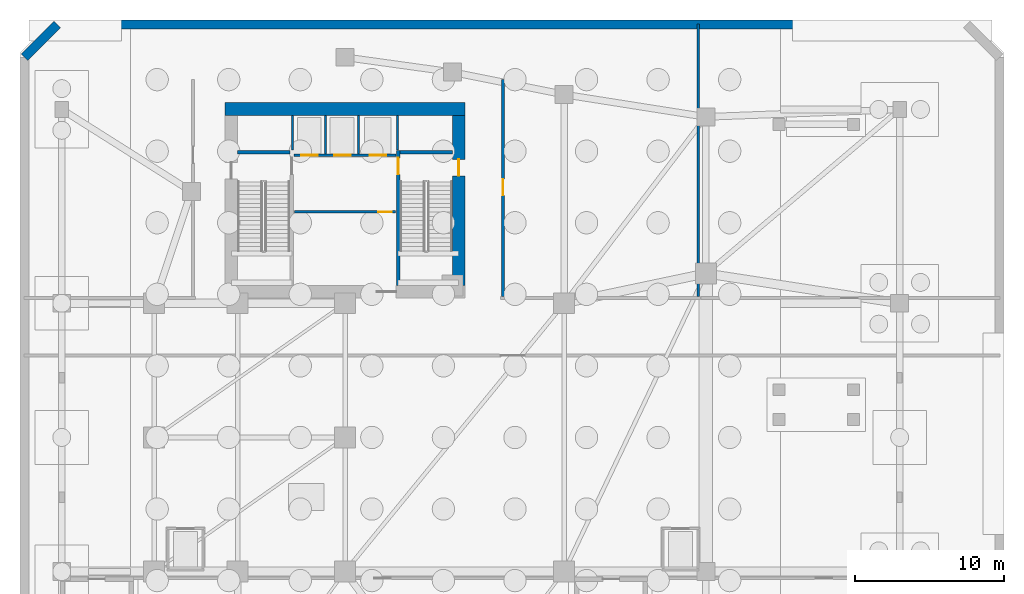
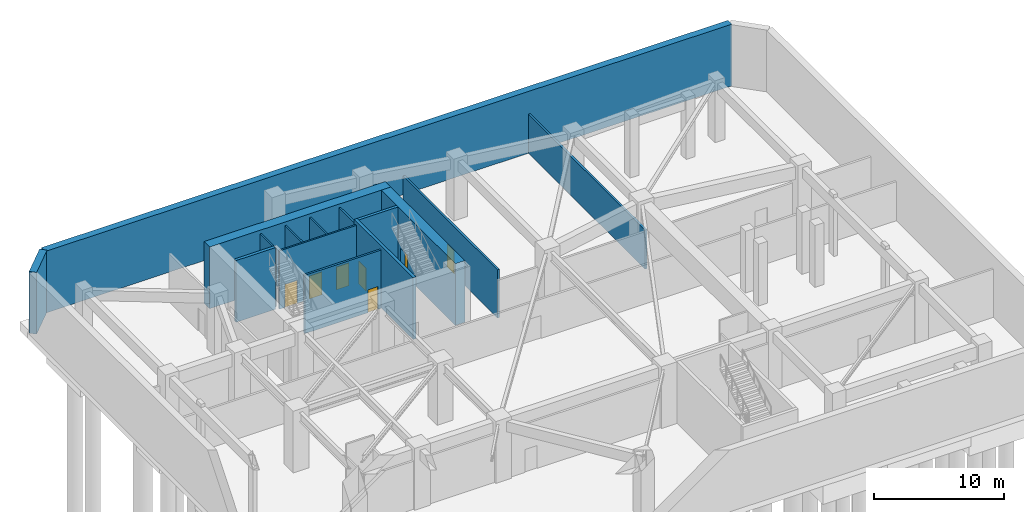
# One storey, part 5 of 9: 15 walls, 7 doors, 7 openings.
"""IFC4 building model written with IfcOpenShell, lengths in metres."""

from ifc_helpers import new_model, si_unit, direction, frame, frame_2d, origin, place, context, subcontext, project, spatial, rectangle, extrude, source, transform, mapped, material, layer, layer_set, type_object, element, fill, save


model = new_model("IFC4")

# Units and contexts
model_context = context("Model", 3, precision=1e-05, world=origin(), true_north=direction((0.0, 1.0)))
body_context = subcontext(model_context, "Body", "Model", "MODEL_VIEW")
ifc_project = project(units=[si_unit("LENGTHUNIT", "METRE"), si_unit("AREAUNIT", "SQUARE_METRE"), si_unit("VOLUMEUNIT", "CUBIC_METRE"), si_unit("PLANEANGLEUNIT", "RADIAN"), si_unit("MASSUNIT", "GRAM", prefix="KILO")], contexts=[model_context])

# Site, building, storey
site_placement = place(None, origin())
site = spatial("IfcSite", under=ifc_project, at=site_placement, CompositionType="ELEMENT")
building_placement = place(site_placement, origin())
building = spatial("IfcBuilding", under=site, at=building_placement, Name="Calvemar Wedge Station Tower", CompositionType="ELEMENT")
storey_placement = place(building_placement, frame((0.0, 0.0, -11.199951171875)))
storey = spatial("IfcBuildingStorey", under=building, at=storey_placement, Name="B02", CompositionType="ELEMENT", Elevation=-11.199951171875)

# Wall, opening, door
ifc_material_1 = material(Name="Concrete C50", Category="concrete")
ifc_layer_1 = layer(ifc_material_1, 0.260009765625)
ifc_layer_set_1 = layer_set([ifc_layer_1], Name="Concrete C50")
wall_type_1 = type_object("IfcWallType", Name="SW-CORE-260", PredefinedType="SHEAR", material=ifc_layer_set_1)
wall_1_placement = place(storey_placement, frame((27.3701171875, 34.199951171875, 0.0), z_axis=(0.0, 0.0, 1.0), x_axis=(0.0, 1.0, 0.0)))
wall_1 = element("IfcWall", 1, at=wall_1_placement, inside=storey, type_object=wall_type_1, Name="Storey B02 Core Shear Wall SPINE-E", PredefinedType="SHEAR", context=body_context, shape_type="SweptSolid", body=[
    extrude(rectangle(XDim=9.06005859375, YDim=0.260009765625, at=frame_2d((4.530029296875, 0.0))), origin(), (0.0, 0.0, 1.0), 5.800048828125),
])
shared_shape_1 = source(origin(), body_context, "Body", "SweptSolid", [
    extrude(rectangle(XDim=1.10009765625, YDim=2.14990234375, at=frame_2d((0.550048828125, 1.074951171875))), frame((0.0, 0.14013671875, 0.0), z_axis=(0.0, -1.0, 0.0), x_axis=(1.0, 0.0, 0.0)), (0.0, 0.0, 1.0), 0.280029296875),
])
opening_1_placement = place(wall_1_placement, frame((7.449951171875, 0.0, 0.0)))
opening_1 = element("IfcOpeningElement", 2, at=opening_1_placement, cuts=wall_1, Name="Opening FD-90", PredefinedType="OPENING", context=body_context, shape_type="MappedRepresentation", body=[
    mapped(shared_shape_1, transform((0.0, 0.0, 0.0), scale=1.0)),
])
ifc_material_2 = material(Name="Galvanized fire-rated steel door leaf P-90", Category="steel")
door_type_1 = type_object("IfcDoorType", Name="DR-FD90-1100", OperationType="NOTDEFINED", PredefinedType="DOOR", material=ifc_material_2)
shared_shape_2 = source(origin(), body_context, "Body", "SweptSolid", [
    extrude(rectangle(XDim=1.10009765625, YDim=2.14990234375, at=frame_2d((0.550048828125, 1.074951171875))), frame((0.0, 0.02490234375, 0.0), z_axis=(0.0, -1.0, 0.0), x_axis=(1.0, 0.0, 0.0)), (0.0, 0.0, 1.0), 0.050048828125),
])
door_1_placement = place(opening_1_placement, origin())
door_1 = element("IfcDoor", 3, at=door_1_placement, inside=storey, type_object=door_type_1, Name="B02 FF Lobby to Stair ST-C2 Door", OperationType="SINGLE_SWING_RIGHT", OverallHeight=2.14990234375, OverallWidth=1.10009765625, PredefinedType="DOOR", context=body_context, shape_type="MappedRepresentation", body=[
    mapped(shared_shape_2, transform((0.0, 0.0, 0.0), scale=1.0)),
])
fill(opening_1, door_1)

# Walls
for number, where, z_axis, x_axis, name in (
    (4, (16.60009765625, 43.1298828125, 0.0), (0.0, 0.0, 1.0), (1.0, 0.0, 0.0), "Storey B02 Core Shear Wall STC1-N"),
    (5, (27.5, 43.1298828125, 0.0), (0.0, 0.0, 1.0), (1.0, 0.0, 0.0), "Storey B02 Core Shear Wall STC2-N"),
):
    element("IfcWall", number, at=place(storey_placement, frame(where, z_axis=z_axis, x_axis=x_axis)), inside=storey, type_object=wall_type_1, Name=name, PredefinedType="SHEAR", context=body_context, shape_type="SweptSolid", body=[
        extrude(rectangle(XDim=3.5, YDim=0.260009765625, at=frame_2d((1.75, 0.0))), origin(), (0.0, 0.0, 1.0), 5.800048828125),
    ])
ifc_material_3 = material(Name="Concrete C80", Category="concrete")
ifc_layer_2 = layer(ifc_material_3, 0.85009765625)
ifc_layer_set_2 = layer_set([ifc_layer_2], Name="Concrete C80")
wall_type_2 = type_object("IfcWallType", Name="SW-CORE-850", PredefinedType="SHEAR", material=ifc_layer_set_2)
wall_2_placement = place(storey_placement, frame((15.75, 46.02490234375, 0.0), z_axis=(0.0, 0.0, 1.0), x_axis=(1.0, 0.0, 0.0)))
element("IfcWall", 6, at=wall_2_placement, inside=storey, type_object=wall_type_2, Name="Storey B02 Core Shear Wall N", PredefinedType="SHEAR", context=body_context, shape_type="SweptSolid", body=[
    extrude(rectangle(XDim=16.10009765625, YDim=0.85009765625, at=frame_2d((8.050048828125, 0.0))), origin(), (0.0, 0.0, 1.0), 5.800048828125),
])

# Wall, opening, door
wall_3_placement = place(storey_placement, frame((31.425048828125, 34.199951171875, 0.0), z_axis=(0.0, 0.0, 1.0), x_axis=(0.0, 1.0, 0.0)))
wall_3 = element("IfcWall", 7, at=wall_3_placement, inside=storey, type_object=wall_type_2, Name="Storey B02 Core Shear Wall E", PredefinedType="SHEAR", context=body_context, shape_type="SweptSolid", body=[
    extrude(rectangle(XDim=11.400146484375, YDim=0.85009765625, at=frame_2d((5.7001953125, 0.0))), origin(), (0.0, 0.0, 1.0), 5.800048828125),
])
shared_shape_3 = source(origin(), body_context, "Body", "SweptSolid", [
    extrude(rectangle(XDim=1.10009765625, YDim=2.14990234375, at=frame_2d((0.550048828125, 1.074951171875))), frame((0.0, 0.43505859375, 0.0), z_axis=(0.0, -1.0, 0.0), x_axis=(1.0, 0.0, 0.0)), (0.0, 0.0, 1.0), 0.8701171875),
])
opening_2_placement = place(wall_3_placement, frame((7.35009765625, 0.0, 0.0)))
opening_2 = element("IfcOpeningElement", 8, at=opening_2_placement, cuts=wall_3, Name="Opening FD-90", PredefinedType="OPENING", context=body_context, shape_type="MappedRepresentation", body=[
    mapped(shared_shape_3, transform((0.0, 0.0, 0.0), scale=1.0)),
])
door_2_placement = place(opening_2_placement, origin())
door_2 = element("IfcDoor", 9, at=door_2_placement, inside=storey, type_object=door_type_1, Name="B02 East Corridor to Exit Stair ST-C2 Door", OperationType="SINGLE_SWING_RIGHT", OverallHeight=2.14990234375, OverallWidth=1.10009765625, PredefinedType="DOOR", context=body_context, shape_type="MappedRepresentation", body=[
    mapped(shared_shape_2, transform((0.0, 0.0, 0.0), scale=1.0)),
])
fill(opening_2, door_2)

# Walls
ifc_layer_3 = layer(ifc_material_1, 0.60009765625)
ifc_layer_set_3 = layer_set([ifc_layer_3], Name="Concrete C50")
wall_type_3 = type_object("IfcWallType", Name="SW-CORE-RET-600", PredefinedType="SHEAR", material=ifc_layer_set_3)
wall_4_placement = place(storey_placement, frame((65.5, 51.699951171875, 0.0), z_axis=(0.0, 0.0, 1.0), x_axis=(-1.0, 0.0, 0.0)))
element("IfcWall", 10, at=wall_4_placement, inside=storey, type_object=wall_type_3, Name="Basement B02 Diaphragm Retaining Wall 5", PredefinedType="SHEAR", context=body_context, shape_type="SweptSolid", body=[
    extrude(rectangle(XDim=61.0, YDim=0.60009765625, at=frame_2d((30.5, 0.0))), origin(), (0.0, 0.0, 1.0), 5.800048828125),
])
wall_5_placement = place(storey_placement, frame((4.5, 51.699951171875, 0.0), z_axis=(0.0, 0.0, 1.0), x_axis=(-0.707106781187, -0.707106781187, 0.0)))
element("IfcWall", 11, at=wall_5_placement, inside=storey, type_object=wall_type_3, Name="Basement B02 Diaphragm Retaining Wall 6", PredefinedType="SHEAR", context=body_context, shape_type="SweptSolid", body=[
    extrude(rectangle(XDim=3.111083984375, YDim=0.60009765625, at=frame_2d((1.5556640625, 0.0))), origin(), (0.0, 0.0, 1.0), 5.800048828125),
])

# Wall, opening, door
ifc_material_4 = material(Name="Double-stud fire-rated corridor partition")
ifc_layer_4 = layer(ifc_material_4, 0.179931640625)
ifc_layer_set_4 = layer_set([ifc_layer_4], Name="Double-stud fire-rated corridor partition")
wall_type_4 = type_object("IfcWallType", Name="W-CORR-180", PredefinedType="PARTITIONING", material=ifc_layer_set_4)
wall_6_placement = place(storey_placement, frame((27.199951171875, 39.1298828125, 0.0), z_axis=(0.0, 0.0, 1.0), x_axis=(-1.0, 0.0, 0.0)))
wall_6 = element("IfcWall", 12, at=wall_6_placement, inside=storey, type_object=wall_type_4, Name="Storey B02 Interior Partition WL-B02-001", PredefinedType="PARTITIONING", context=body_context, shape_type="SweptSolid", body=[
    extrude(rectangle(XDim=6.780029296875, YDim=0.179931640625, at=frame_2d((3.39013671875, 0.0))), origin(), (0.0, 0.0, 1.0), 5.47998046875),
])
shared_shape_4 = source(origin(), body_context, "Body", "SweptSolid", [
    extrude(rectangle(XDim=0.89990234375, YDim=2.14990234375, at=frame_2d((0.449951171875, 1.074951171875))), frame((0.0, 0.10009765625, 0.0), z_axis=(0.0, -1.0, 0.0), x_axis=(1.0, 0.0, 0.0)), (0.0, 0.0, 1.0), 0.199951171875),
])
opening_3_placement = place(wall_6_placement, frame((0.280029296875, 0.0, 0.0)))
opening_3 = element("IfcOpeningElement", 13, at=opening_3_placement, cuts=wall_6, Name="Opening FD-60", PredefinedType="OPENING", context=body_context, shape_type="MappedRepresentation", body=[
    mapped(shared_shape_4, transform((0.0, 0.0, 0.0), scale=1.0)),
])
ifc_material_5 = material(Name="Fire-rated acoustic timber-core entrance door EI 60", Category="wood")
door_type_2 = type_object("IfcDoorType", Name="DR-FD60-900", OperationType="NOTDEFINED", PredefinedType="DOOR", material=ifc_material_5)
shared_shape_5 = source(origin(), body_context, "Body", "SweptSolid", [
    extrude(rectangle(XDim=0.89990234375, YDim=2.14990234375, at=frame_2d((0.449951171875, 1.074951171875))), frame((0.0, 0.02490234375, 0.0), z_axis=(0.0, -1.0, 0.0), x_axis=(1.0, 0.0, 0.0)), (0.0, 0.0, 1.0), 0.050048828125),
])
door_3_placement = place(opening_3_placement, origin())
door_3 = element("IfcDoor", 14, at=door_3_placement, inside=storey, type_object=door_type_2, Name="B02 Core Service Lobby Door", OperationType="SINGLE_SWING_LEFT", OverallHeight=2.14990234375, OverallWidth=0.89990234375, PredefinedType="DOOR", context=body_context, shape_type="MappedRepresentation", body=[
    mapped(shared_shape_5, transform((0.0, 0.0, 0.0), scale=1.0)),
])
fill(opening_3, door_3)

wall_7_placement = place(storey_placement, frame((34.39990234375, 48.0, 0.0), z_axis=(0.0, 0.0, 1.0), x_axis=(0.0, -1.0, 0.0)))
wall_7 = element("IfcWall", 15, at=wall_7_placement, inside=storey, type_object=wall_type_4, Name="Storey B02 Interior Partition WL-B02-007", PredefinedType="PARTITIONING", context=body_context, shape_type="SweptSolid", body=[
    extrude(rectangle(XDim=14.555908203125, YDim=0.179931640625, at=frame_2d((7.27783203125, 0.0))), origin(), (0.0, 0.0, 1.0), 4.52197265625),
])
shared_shape_6 = source(origin(), body_context, "Body", "SweptSolid", [
    extrude(rectangle(XDim=1.10009765625, YDim=2.14990234375, at=frame_2d((0.550048828125, 1.074951171875))), frame((0.0, 0.10009765625, 0.0), z_axis=(0.0, -1.0, 0.0), x_axis=(1.0, 0.0, 0.0)), (0.0, 0.0, 1.0), 0.199951171875),
])
opening_4_placement = place(wall_7_placement, frame((6.667724609375, 0.0, 0.0)))
opening_4 = element("IfcOpeningElement", 16, at=opening_4_placement, cuts=wall_7, Name="Opening FD-90", PredefinedType="OPENING", context=body_context, shape_type="MappedRepresentation", body=[
    mapped(shared_shape_6, transform((0.0, 0.0, 0.0), scale=1.0)),
])
door_4_placement = place(opening_4_placement, origin())
door_4 = element("IfcDoor", 17, at=door_4_placement, inside=storey, type_object=door_type_1, Name="B02 Traction Power Substation Door", OperationType="SINGLE_SWING_LEFT", OverallHeight=2.14990234375, OverallWidth=1.10009765625, PredefinedType="DOOR", context=body_context, shape_type="MappedRepresentation", body=[
    mapped(shared_shape_2, transform((0.0, 0.0, 0.0), scale=1.0)),
])
fill(opening_4, door_4)

# Wall
wall_8_placement = place(storey_placement, frame((47.5, 51.715087890625, 0.0), z_axis=(0.0, 0.0, 1.0), x_axis=(0.0, -1.0, 0.0)))
element("IfcWall", 18, at=wall_8_placement, inside=storey, type_object=wall_type_4, Name="Storey B02 Interior Partition WL-B02-010", PredefinedType="PARTITIONING", context=body_context, shape_type="SweptSolid", body=[
    extrude(rectangle(XDim=18.27099609375, YDim=0.179931640625, at=frame_2d((9.135498046875, 0.0))), origin(), (0.0, 0.0, 1.0), 3.671875),
])

# Wall, openings, doors
ifc_material_6 = material(Name="Reinforced concrete blockwork lift shaft wall", Category="masonry")
ifc_layer_5 = layer(ifc_material_6, 0.139892578125)
ifc_layer_set_5 = layer_set([ifc_layer_5], Name="Reinforced concrete blockwork lift shaft wall")
wall_type_5 = type_object("IfcWallType", Name="W-LIFT-160", PredefinedType="SOLIDWALL", material=ifc_layer_set_5)
wall_9_placement = place(storey_placement, frame((20.3701171875, 42.929931640625, 0.0), z_axis=(0.0, 0.0, 1.0), x_axis=(1.0, 0.0, 0.0)))
wall_9 = element("IfcWall", 19, at=wall_9_placement, inside=storey, type_object=wall_type_5, Name="Storey B02 Firefighting and Service Lift Shaft Front Wall", PredefinedType="SOLIDWALL", context=body_context, shape_type="SweptSolid", body=[
    extrude(rectangle(XDim=6.85986328125, YDim=0.139892578125, at=frame_2d((3.429931640625, 0.0))), origin(), (0.0, 0.0, 1.0), 5.47998046875),
])
shared_shape_7 = source(origin(), body_context, "Body", "SweptSolid", [
    extrude(rectangle(XDim=1.10009765625, YDim=2.14990234375, at=frame_2d((0.550048828125, 1.074951171875))), frame((0.0, 0.080078125, 0.0), z_axis=(0.0, -1.0, 0.0), x_axis=(1.0, 0.0, 0.0)), (0.0, 0.0, 1.0), 0.159912109375),
])
opening_5_placement = place(wall_9_placement, frame((0.5, 0.0, 0.0)))
opening_5 = element("IfcOpeningElement", 20, at=opening_5_placement, cuts=wall_9, Name="Opening LD-FF", PredefinedType="OPENING", context=body_context, shape_type="MappedRepresentation", body=[
    mapped(shared_shape_7, transform((0.0, 0.0, 0.0), scale=1.0)),
])
opening_6_placement = place(wall_9_placement, frame((2.699951171875, 0.0, 0.0)))
opening_6 = element("IfcOpeningElement", 21, at=opening_6_placement, cuts=wall_9, Name="Opening LD-FF", PredefinedType="OPENING", context=body_context, shape_type="MappedRepresentation", body=[
    mapped(shared_shape_7, transform((0.0, 0.0, 0.0), scale=1.0)),
])
opening_7_placement = place(wall_9_placement, frame((5.10009765625, 0.0, 0.0)))
opening_7 = element("IfcOpeningElement", 22, at=opening_7_placement, cuts=wall_9, Name="Opening LD-STN", PredefinedType="OPENING", context=body_context, shape_type="MappedRepresentation", body=[
    mapped(shared_shape_7, transform((0.0, 0.0, 0.0), scale=1.0)),
])
ifc_material_7 = material(Name="Stainless steel firefighting lift sliding landing door", Category="steel")
door_type_3 = type_object("IfcDoorType", Name="DR-LD-FF-1100", OperationType="SLIDING_TO_LEFT", PredefinedType="DOOR", material=ifc_material_7)
shared_shape_8 = source(origin(), body_context, "Body", "SweptSolid", [
    extrude(rectangle(XDim=1.10009765625, YDim=2.14990234375, at=frame_2d((0.550048828125, 1.074951171875))), frame((0.0, 0.02490234375, 0.0), z_axis=(0.0, -1.0, 0.0), x_axis=(1.0, 0.0, 0.0)), (0.0, 0.0, 1.0), 0.050048828125),
])
door_5_placement = place(opening_5_placement, origin())
door_5 = element("IfcDoor", 23, at=door_5_placement, inside=storey, type_object=door_type_3, Name="B02 Lift FF-01 Sliding Landing Door", OperationType="SLIDING_TO_LEFT", OverallHeight=2.14990234375, OverallWidth=1.10009765625, PredefinedType="DOOR", context=body_context, shape_type="MappedRepresentation", body=[
    mapped(shared_shape_8, transform((0.0, 0.0, 0.0), scale=1.0)),
])
fill(opening_5, door_5)
door_6_placement = place(opening_6_placement, origin())
door_6 = element("IfcDoor", 24, at=door_6_placement, inside=storey, type_object=door_type_3, Name="B02 Lift FF-02 Sliding Landing Door", OperationType="SLIDING_TO_RIGHT", OverallHeight=2.14990234375, OverallWidth=1.10009765625, PredefinedType="DOOR", context=body_context, shape_type="MappedRepresentation", body=[
    mapped(shared_shape_8, transform((0.0, 0.0, 0.0), scale=1.0)),
])
fill(opening_6, door_6)
ifc_material_8 = material(Name="Stainless steel transit lift sliding landing door", Category="steel")
door_type_4 = type_object("IfcDoorType", Name="DR-LD-PAX-1100", OperationType="SLIDING_TO_LEFT", PredefinedType="DOOR", material=ifc_material_8)
shared_shape_9 = source(origin(), body_context, "Body", "SweptSolid", [
    extrude(rectangle(XDim=1.10009765625, YDim=2.14990234375, at=frame_2d((0.550048828125, 1.074951171875))), frame((0.0, 0.02490234375, 0.0), z_axis=(0.0, -1.0, 0.0), x_axis=(1.0, 0.0, 0.0)), (0.0, 0.0, 1.0), 0.050048828125),
])
door_7_placement = place(opening_7_placement, origin())
door_7 = element("IfcDoor", 25, at=door_7_placement, inside=storey, type_object=door_type_4, Name="B02 Lift SV-01 Sliding Landing Door", OperationType="SLIDING_TO_LEFT", OverallHeight=2.14990234375, OverallWidth=1.10009765625, PredefinedType="DOOR", context=body_context, shape_type="MappedRepresentation", body=[
    mapped(shared_shape_9, transform((0.0, 0.0, 0.0), scale=1.0)),
])
fill(opening_7, door_7)

# Walls
for number, where, z_axis, x_axis, name in (
    (26, (20.2900390625, 43.280029296875, 0.0), (0.0, 0.0, 1.0), (0.0, 1.0, 0.0), "Storey B02 Firefighting Lift Shaft Enclosure Wall W"),
    (27, (27.31005859375, 43.280029296875, 0.0), (0.0, 0.0, 1.0), (0.0, 1.0, 0.0), "Storey B02 Firefighting Lift Shaft Enclosure Wall E"),
):
    element("IfcWall", number, at=place(storey_placement, frame(where, z_axis=z_axis, x_axis=x_axis)), inside=storey, type_object=wall_type_5, Name=name, PredefinedType="SOLIDWALL", context=body_context, shape_type="SweptSolid", body=[
        extrude(rectangle(XDim=2.300048828125, YDim=0.139892578125, at=frame_2d((1.14990234375, 0.0))), origin(), (0.0, 0.0, 1.0), 5.47998046875),
    ])
for number, where, z_axis, x_axis, name in (
    (28, (22.5, 43.02001953125, 0.0), (0.0, 0.0, 1.0), (0.0, 1.0, 0.0), "Storey B02 Firefighting Lift Shaft Enclosure Wall D1"),
    (29, (24.699951171875, 43.02001953125, 0.0), (0.0, 0.0, 1.0), (0.0, 1.0, 0.0), "Storey B02 Firefighting Lift Shaft Enclosure Wall D2"),
):
    element("IfcWall", number, at=place(storey_placement, frame(where, z_axis=z_axis, x_axis=x_axis)), inside=storey, type_object=wall_type_5, Name=name, PredefinedType="SOLIDWALL", context=body_context, shape_type="SweptSolid", body=[
        extrude(rectangle(XDim=2.56005859375, YDim=0.139892578125, at=frame_2d((1.280029296875, 0.0))), origin(), (0.0, 0.0, 1.0), 5.47998046875),
    ])

save(model, "model.ifc")
